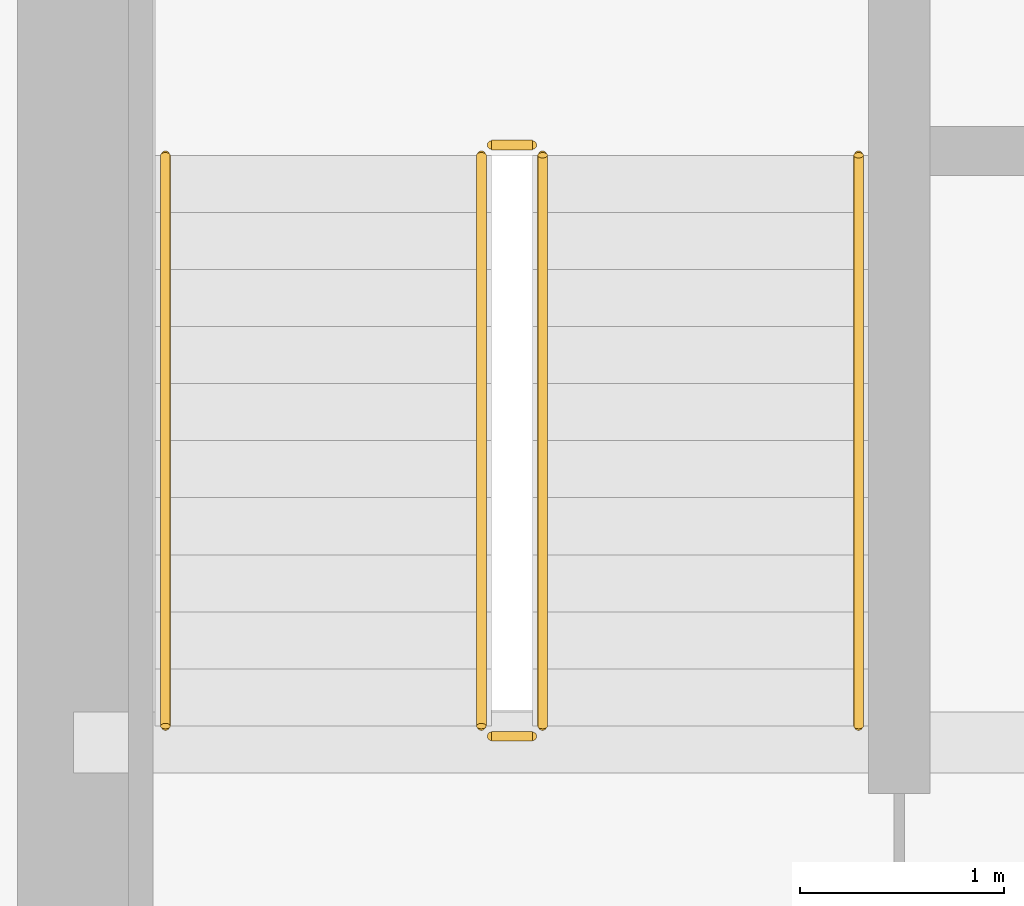
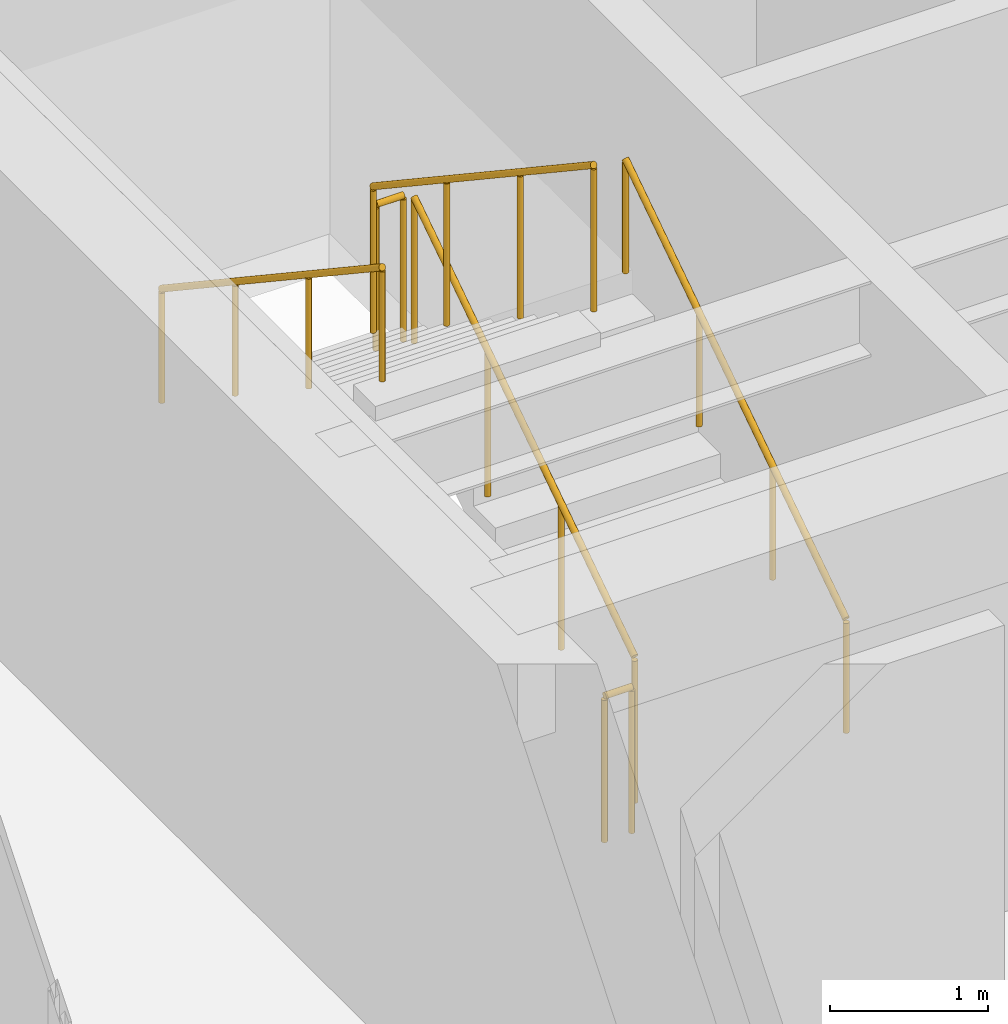
# One storey, part 32 of 33: 6 railings.
"""IFC4 building model written with IfcOpenShell, lengths in metres."""

from ifc_helpers import new_model, si_unit, direction, frame, origin, origin_2d, place, context, subcontext, project, spatial, circle, extrude, source, transform, mapped, material, type_object, type_shapes, element, save


model = new_model("IFC4")

# Units and contexts
model_context = context("Model", 3, precision=1e-05, world=origin(), true_north=direction((0.0, 1.0)))
body_context = subcontext(model_context, "Body", "Model", "MODEL_VIEW")
ifc_project = project(units=[si_unit("LENGTHUNIT", "METRE"), si_unit("AREAUNIT", "SQUARE_METRE"), si_unit("VOLUMEUNIT", "CUBIC_METRE"), si_unit("PLANEANGLEUNIT", "RADIAN"), si_unit("MASSUNIT", "GRAM", prefix="KILO")], contexts=[model_context])

# Site, building, storey
site_placement = place(None, origin())
site = spatial("IfcSite", under=ifc_project, at=site_placement, CompositionType="ELEMENT")
building_placement = place(site_placement, origin())
building = spatial("IfcBuilding", under=site, at=building_placement, Name="Haelvirn Gate Laboratories", CompositionType="ELEMENT")
storey_placement = place(building_placement, frame((0.0, 0.0, 230.10009765625)))
storey = spatial("IfcBuildingStorey", under=building, at=storey_placement, Name="L55", CompositionType="ELEMENT", Elevation=230.10009765625)

# Railings
ifc_material_1 = material(Name="Galvanised steel SM355 & stainless top rail", Category="steel")
railing_type_1 = type_object("IfcRailingType", Name="RL-GUARD-1150", PredefinedType="GUARDRAIL", material=ifc_material_1)
shared_shape_1 = source(origin(), body_context, "Body", "SweptSolid", [
    extrude(circle(Radius=0.02392578125, at=origin_2d()), frame((0.0, 0.0, 1.1259765625), z_axis=(-1.0, 0.0, 0.0), x_axis=(0.0, -1.0, 0.0)), (0.0, 0.0, 1.0), 0.199951171875),
    extrude(circle(Radius=0.02099609375, at=origin_2d()), origin(), (0.0, 0.0, 1.0), 1.101806640625),
    extrude(circle(Radius=0.02099609375, at=origin_2d()), frame((-0.199951171875, 0.0, 0.0)), (0.0, 0.0, 1.0), 1.101806640625),
])
for number, where, name in (
    (1, (9.64990234375, 29.550048828125, 2.0498046875), "L55 ST1 stair guard 2"),
    (2, (9.64990234375, 26.64990234375, 0.0), "L55 ST1 stair guard 4"),
):
    element("IfcRailing", number, at=place(storey_placement, frame(where)), inside=storey, type_object=railing_type_1, Name=name, PredefinedType="GUARDRAIL", context=body_context, shape_type="MappedRepresentation", body=[
        mapped(shared_shape_1, transform((0.0, 0.0, 0.0), scale=1.0)),
    ])
shared_shape_2 = source(origin(), body_context, "Body", "SweptSolid", [
    extrude(circle(Radius=0.02392578125, at=origin_2d()), frame((0.0, 0.0, 1.1259765625), z_axis=(0.0, 0.832485552168, 0.554046753832), x_axis=(-1.0, 0.0, 0.0)), (0.0, 0.0, 1.0), 3.363525390625),
    extrude(circle(Radius=0.02099609375, at=origin_2d()), origin(), (0.0, 0.0, 1.0), 1.101806640625),
    extrude(circle(Radius=0.02099609375, at=origin_2d()), frame((0.0, 0.933349609375, 0.62109375)), (0.0, 0.0, 1.0), 1.101806640625),
    extrude(circle(Radius=0.02099609375, at=origin_2d()), frame((0.0, 1.86669921875, 1.242431640625)), (0.0, 0.0, 1.0), 1.101806640625),
    extrude(circle(Radius=0.02099609375, at=origin_2d()), frame((0.0, 2.800048828125, 1.863525390625)), (0.0, 0.0, 1.0), 1.101806640625),
])
railing_1_placement = place(storey_placement, frame((9.699951171875, 26.699951171875, 0.186279296875)))
element("IfcRailing", 3, at=railing_1_placement, inside=storey, type_object=railing_type_1, Name="L55 ST1 stair guard 1", PredefinedType="GUARDRAIL", context=body_context, shape_type="MappedRepresentation", body=[
    mapped(shared_shape_2, transform((0.0, 0.0, 0.0), scale=1.0)),
])
ifc_material_2 = material(Name="Brushed stainless steel 316L", Category="steel")
railing_type_2 = type_object("IfcRailingType", Name="RL-HAND-920", PredefinedType="HANDRAIL", material=ifc_material_2)
shared_shape_3 = source(origin(), body_context, "Body", "SweptSolid", [
    extrude(circle(Radius=0.02392578125, at=origin_2d()), frame((0.0, 0.0, 0.8759765625), z_axis=(0.0, 0.832485552168, 0.554046753832), x_axis=(-1.0, 0.0, 0.0)), (0.0, 0.0, 1.0), 3.363525390625),
    extrude(circle(Radius=0.02099609375, at=origin_2d()), origin(), (0.0, 0.0, 1.0), 0.851806640625),
    extrude(circle(Radius=0.02099609375, at=origin_2d()), frame((0.0, 0.933349609375, 0.62109375)), (0.0, 0.0, 1.0), 0.851806640625),
    extrude(circle(Radius=0.02099609375, at=origin_2d()), frame((0.0, 1.86669921875, 1.242431640625)), (0.0, 0.0, 1.0), 0.851806640625),
    extrude(circle(Radius=0.02099609375, at=origin_2d()), frame((0.0, 2.800048828125, 1.863525390625)), (0.0, 0.0, 1.0), 0.851806640625),
])
railing_2_placement = place(storey_placement, frame((11.25, 26.699951171875, 0.186279296875)))
element("IfcRailing", 4, at=railing_2_placement, inside=storey, type_object=railing_type_2, Name="L55 ST1 stair handrail 1", PredefinedType="HANDRAIL", context=body_context, shape_type="MappedRepresentation", body=[
    mapped(shared_shape_3, transform((0.0, 0.0, 0.0), scale=1.0)),
])
shared_shape_4 = source(origin(), body_context, "Body", "SweptSolid", [
    extrude(circle(Radius=0.02392578125, at=origin_2d()), frame((0.0, 0.0, 1.1259765625), z_axis=(0.0, -0.832485552168, 0.554046753832), x_axis=(1.0, 0.0, 0.0)), (0.0, 0.0, 1.0), 3.363525390625),
    extrude(circle(Radius=0.02099609375, at=origin_2d()), origin(), (0.0, 0.0, 1.0), 1.101806640625),
    extrude(circle(Radius=0.02099609375, at=origin_2d()), frame((0.0, -0.933349609375, 0.62109375)), (0.0, 0.0, 1.0), 1.101806640625),
    extrude(circle(Radius=0.02099609375, at=origin_2d()), frame((0.0, -1.86669921875, 1.242431640625)), (0.0, 0.0, 1.0), 1.101806640625),
    extrude(circle(Radius=0.02099609375, at=origin_2d()), frame((0.0, -2.800048828125, 1.863525390625)), (0.0, 0.0, 1.0), 1.101806640625),
])
type_shapes(railing_type_1, [shared_shape_1, shared_shape_2, shared_shape_4])
railing_3_placement = place(storey_placement, frame((9.39990234375, 29.5, 2.236328125)))
element("IfcRailing", 5, at=railing_3_placement, inside=storey, type_object=railing_type_1, Name="L55 ST1 stair guard 3", PredefinedType="GUARDRAIL", context=body_context, shape_type="MappedRepresentation", body=[
    mapped(shared_shape_4, transform((0.0, 0.0, 0.0), scale=1.0)),
])
shared_shape_5 = source(origin(), body_context, "Body", "SweptSolid", [
    extrude(circle(Radius=0.02392578125, at=origin_2d()), frame((0.0, 0.0, 0.8759765625), z_axis=(0.0, -0.832485552168, 0.554046753832), x_axis=(1.0, 0.0, 0.0)), (0.0, 0.0, 1.0), 3.363525390625),
    extrude(circle(Radius=0.02099609375, at=origin_2d()), origin(), (0.0, 0.0, 1.0), 0.851806640625),
    extrude(circle(Radius=0.02099609375, at=origin_2d()), frame((0.0, -0.933349609375, 0.62109375)), (0.0, 0.0, 1.0), 0.851806640625),
    extrude(circle(Radius=0.02099609375, at=origin_2d()), frame((0.0, -1.86669921875, 1.242431640625)), (0.0, 0.0, 1.0), 0.851806640625),
    extrude(circle(Radius=0.02099609375, at=origin_2d()), frame((0.0, -2.800048828125, 1.863525390625)), (0.0, 0.0, 1.0), 0.851806640625),
])
type_shapes(railing_type_2, [shared_shape_3, shared_shape_5])
railing_4_placement = place(storey_placement, frame((7.85009765625, 29.5, 2.236328125)))
element("IfcRailing", 6, at=railing_4_placement, inside=storey, type_object=railing_type_2, Name="L55 ST1 stair handrail 2", PredefinedType="HANDRAIL", context=body_context, shape_type="MappedRepresentation", body=[
    mapped(shared_shape_5, transform((0.0, 0.0, 0.0), scale=1.0)),
])

save(model, "model.ifc")
